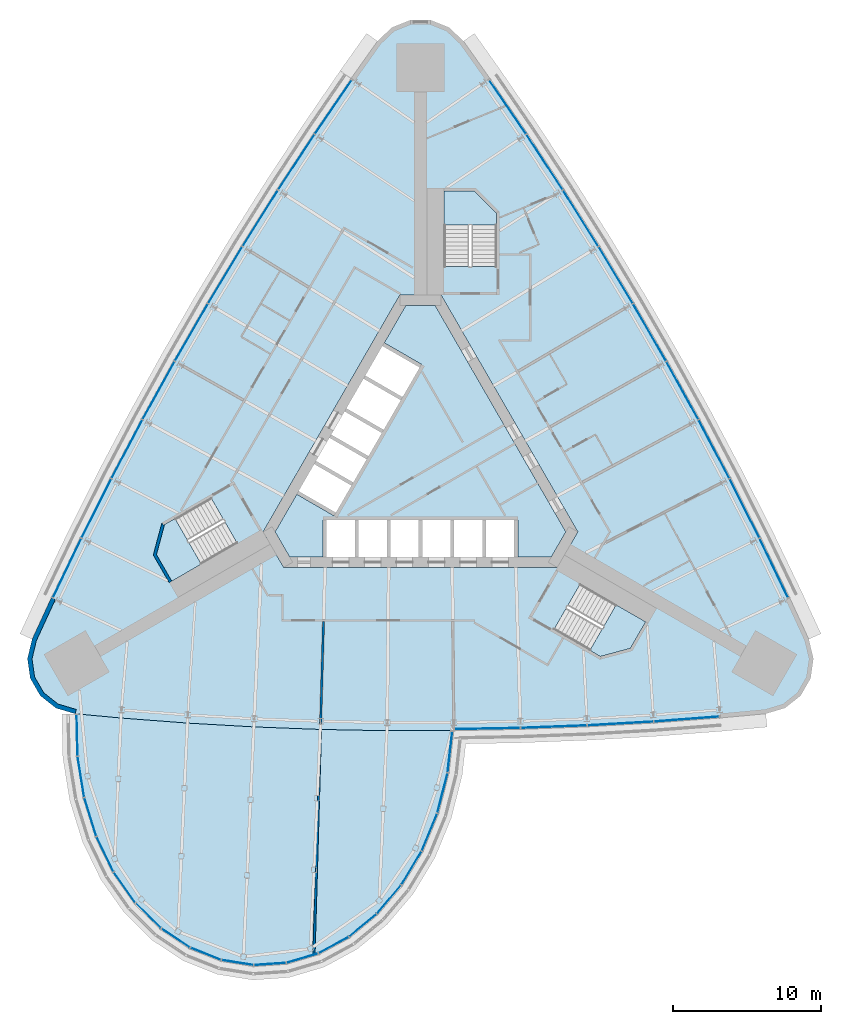
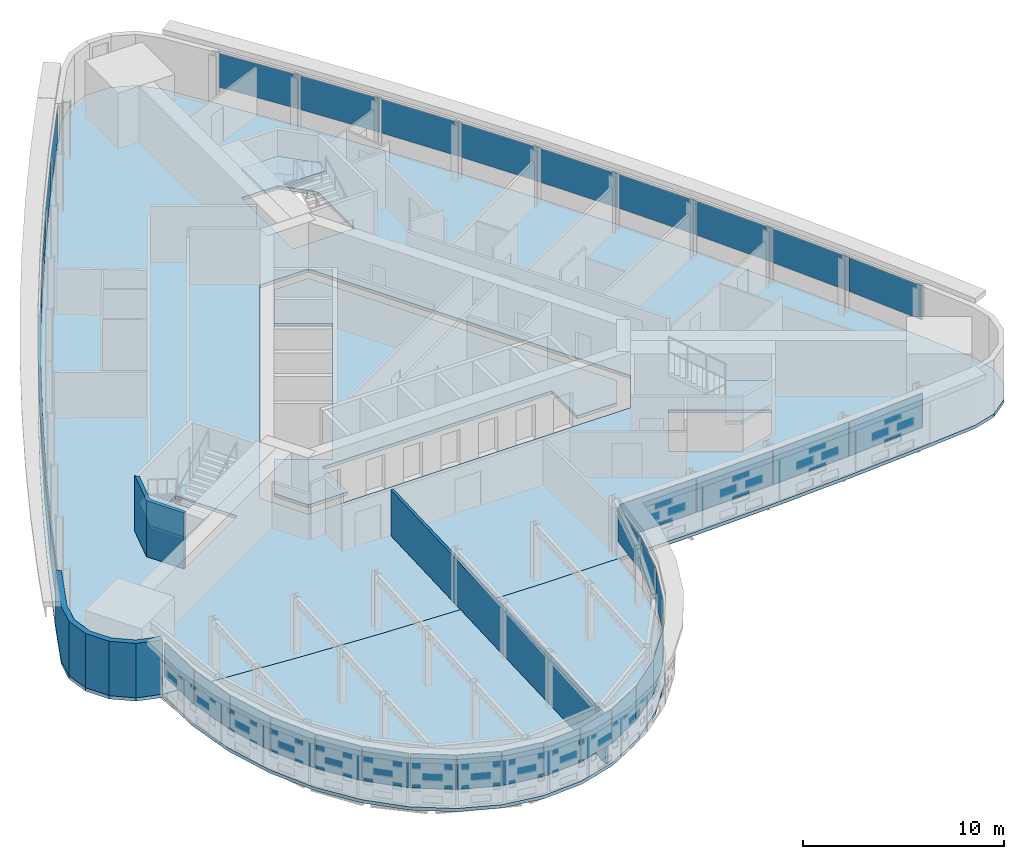
# One storey, part 9 of 16: 40 plates, 6 slabs, 3 walls, 7 elements without a shape of their own.
"""IFC4 building model written with IfcOpenShell, lengths in metres."""

import ifcopenshell
import ifcopenshell.guid

model = None  # the IFC model being written
_history = None  # IfcOwnerHistory: only IFC2X3 demands one
_inside = {}  # id of a spatial element -> (the spatial element, [elements in it])
_under = {}  # id of a project, library or spatial element -> (it, [spatial elements below it])
_declared = {}  # id of a project -> (the project, [libraries it declares])
_typed = {}  # id of a type object -> (the type object, [elements of that type])
_made_of = {}  # id of a material, layer set ... -> (it, [elements and type objects made of it])


def new_model(schema):
    """Start an empty IFC model of exactly this schema.

    Asked for "IFC4X3", IfcOpenShell would pick the latest addendum, in which some entities
    have other attributes; the version numbers below select the first issue.
    IFC2X3 requires an IfcOwnerHistory on every rooted entity: one is made here for all.
    """
    global model, _history
    if schema == "IFC4X3":
        model = ifcopenshell.file(schema_version=(4, 3, 0, 0))
    else:
        model = ifcopenshell.file(schema=schema)
    _inside.clear()
    _under.clear()
    _declared.clear()
    _typed.clear()
    _made_of.clear()
    _history = None
    if model.schema == "IFC2X3":
        org = make("IfcOrganization", Name="unknown")
        user = make(
            "IfcPersonAndOrganization",
            ThePerson=make("IfcPerson", FamilyName="unknown"),
            TheOrganization=org,
        )
        app = make(
            "IfcApplication",
            ApplicationDeveloper=org,
            Version="unknown",
            ApplicationFullName="unknown",
            ApplicationIdentifier="unknown",
        )
        _history = make(
            "IfcOwnerHistory",
            OwningUser=user,
            OwningApplication=app,
            ChangeAction="ADDED",
            CreationDate=0,
        )
    return model


def make(cls, **values):
    """One entity of the class cls with the attributes given. An attribute that is None is left unset."""
    return model.create_entity(
        cls, **{name: value for name, value in values.items() if value is not None}
    )


def rooted(cls, **values):
    """An entity with a GlobalId (a new one), such as an element, a storey or a relation."""
    return make(cls, GlobalId=ifcopenshell.guid.new(), OwnerHistory=_history, **values)


def si_unit(unit_type, name, prefix=None):
    """IfcSIUnit, for example si_unit("LENGTHUNIT", "METRE", prefix="MILLI")."""
    return make("IfcSIUnit", UnitType=unit_type, Prefix=prefix, Name=name)


def assignment(units):
    """IfcUnitAssignment: the units of a project."""
    return None if units is None else make("IfcUnitAssignment", Units=units)


def point(xyz):
    """IfcCartesianPoint."""
    return None if xyz is None else make("IfcCartesianPoint", Coordinates=xyz)


def direction(xyz):
    """IfcDirection."""
    return None if xyz is None else make("IfcDirection", DirectionRatios=xyz)


def frame(location, z_axis=None, x_axis=None):
    """IfcAxis2Placement3D, a coordinate frame: its origin and axes. An axis left out is left unset."""
    return make(
        "IfcAxis2Placement3D",
        Location=point(location),
        Axis=direction(z_axis),
        RefDirection=direction(x_axis),
    )


def frame_2d(location, x_axis=None):
    """IfcAxis2Placement2D, a coordinate frame in the plane: its origin and x axis."""
    return make(
        "IfcAxis2Placement2D", Location=point(location), RefDirection=direction(x_axis)
    )


def origin():
    """The frame at (0, 0, 0) with its axes left unset."""
    return frame((0.0, 0.0, 0.0))


def origin_2d():
    """The frame at (0, 0) in the plane with its x axis left unset."""
    return frame_2d((0.0, 0.0))


def place(relative_to, where):
    """IfcLocalPlacement: puts the frame where relative to a parent placement (None: the world)."""
    return make(
        "IfcLocalPlacement", PlacementRelTo=relative_to, RelativePlacement=where
    )


def context(
    kind, dimensions, precision=None, world=None, true_north=None, identifier=None
):
    """IfcGeometricRepresentationContext, for example the 3D "Model" context."""
    return make(
        "IfcGeometricRepresentationContext",
        ContextIdentifier=identifier,
        ContextType=kind,
        CoordinateSpaceDimension=dimensions,
        Precision=precision,
        WorldCoordinateSystem=world,
        TrueNorth=true_north,
    )


def subcontext(parent, identifier, kind, view, scale=None):
    """IfcGeometricRepresentationSubContext, for example "Body" below "Model"."""
    return make(
        "IfcGeometricRepresentationSubContext",
        ContextIdentifier=identifier,
        ContextType=kind,
        ParentContext=parent,
        TargetScale=scale,
        TargetView=view,
    )


def project(units=None, contexts=None):
    """IfcProject with its units and contexts."""
    return rooted(
        "IfcProject",
        Name="project",
        RepresentationContexts=contexts,
        UnitsInContext=assignment(units),
    )


def spatial(cls, under=None, at=None, **own):
    """A site, building, storey or space (cls), placed at a placement, below another one or the project."""
    s = rooted(cls, ObjectPlacement=at, **own)
    if under is not None:
        _under.setdefault(under.id(), (under, []))[1].append(s)
    return s


def polyline(points):
    """IfcPolyline through the points."""
    return make("IfcPolyline", Points=[point(p) for p in points])


def profile(cls, at=None, kind="AREA", **sizes):
    """A parametric profile (cls). Its sizes go by their IFC names, for example OverallWidth=200.0."""
    return make(cls, ProfileType=kind, Position=at, **sizes)


def rectangle(**sizes):
    """IfcRectangleProfileDef."""
    return profile("IfcRectangleProfileDef", **sizes)


def outline(outer, holes=None, kind="AREA"):
    """IfcArbitraryClosedProfileDef: a profile drawn as a closed curve; with holes, ...WithVoids."""
    if holes is None:
        return make("IfcArbitraryClosedProfileDef", ProfileType=kind, OuterCurve=outer)
    return make(
        "IfcArbitraryProfileDefWithVoids",
        ProfileType=kind,
        OuterCurve=outer,
        InnerCurves=holes,
    )


def extrude(swept, where, along, depth):
    """IfcExtrudedAreaSolid: the profile swept, set in the frame where, extruded along a direction by depth."""
    return make(
        "IfcExtrudedAreaSolid",
        SweptArea=swept,
        Position=where,
        ExtrudedDirection=direction(along),
        Depth=depth,
    )


def shape(context_of_items, identifier, shape_type, items):
    """IfcShapeRepresentation: the items that make up one representation, for example the "Body"."""
    return make(
        "IfcShapeRepresentation",
        ContextOfItems=context_of_items,
        RepresentationIdentifier=identifier,
        RepresentationType=shape_type,
        Items=items,
    )


def material(Name=None, Category=None):
    """IfcMaterial."""
    return make("IfcMaterial", Name=Name, Category=Category)


def layer(
    of_material, thickness, ventilated=None, Name=None, Category=None, Priority=None
):
    """IfcMaterialLayer: one layer of a wall or slab, of a material (None: an air gap)."""
    return make(
        "IfcMaterialLayer",
        Material=of_material,
        LayerThickness=thickness,
        IsVentilated=ventilated,
        Name=Name,
        Category=Category,
        Priority=Priority,
    )


def layer_set(layers, Name=None):
    """IfcMaterialLayerSet."""
    return make("IfcMaterialLayerSet", MaterialLayers=layers, LayerSetName=Name)


def made_of(thing, what):
    """Note that an element or type object is made of a material, layer set ...; save() writes the relation."""
    if what is not None:
        _made_of.setdefault(what.id(), (what, []))[1].append(thing)
    return thing


def type_object(cls, material=None, **own):
    """A type object (cls), such as IfcWallType, which elements share."""
    return made_of(rooted(cls, **own), material)


def element(
    cls,
    number,
    at=None,
    inside=None,
    cuts=None,
    type_object=None,
    material=None,
    context=None,
    identifier="Body",
    shape_type=None,
    held_by="IfcProductDefinitionShape",
    body=None,
    shapes=None,
    **own,
):
    """One element of the class cls, such as IfcWall. Its Tag is "e" and its number.

    at: its placement. inside: the storey or other place that contains it. cuts: it is an
    opening in that element (IfcRelVoidsElement). A single representation is given by context,
    identifier, shape_type and body (its items); several are given by shapes. held_by: the class
    of the entity that holds the representations. save() writes the other relations.
    """
    e = rooted(cls, Tag="e%d" % number, ObjectPlacement=at, **own)
    if body is not None:
        shapes = [shape(context, identifier, shape_type, body)]
    if shapes is not None:
        e.Representation = make(held_by, Representations=shapes)
    if inside is not None:
        _inside.setdefault(inside.id(), (inside, []))[1].append(e)
    if cuts is not None:
        rooted(
            "IfcRelVoidsElement", RelatingBuildingElement=cuts, RelatedOpeningElement=e
        )
    if type_object is not None:
        _typed.setdefault(type_object.id(), (type_object, []))[1].append(e)
    return made_of(e, material)


def aggregate(whole, parts):
    """IfcRelAggregates: a whole, such as a stair, and the parts it consists of."""
    return rooted("IfcRelAggregates", RelatingObject=whole, RelatedObjects=parts)


def save(model, path):
    """Write the relations noted so far, then the file.

    IfcRelAggregates (storeys below a building ...), IfcRelContainedInSpatialStructure (elements
    in a storey), IfcRelDefinesByType, IfcRelAssociatesMaterial and IfcRelDeclares: one each for
    every whole, place, type object, material and project.
    """
    for whole, parts in _under.values():
        aggregate(whole, parts)
    for where, things in _inside.values():
        rooted(
            "IfcRelContainedInSpatialStructure",
            RelatedElements=things,
            RelatingStructure=where,
        )
    for kind, things in _typed.values():
        rooted("IfcRelDefinesByType", RelatedObjects=things, RelatingType=kind)
    for what, things in _made_of.values():
        rooted("IfcRelAssociatesMaterial", RelatedObjects=things, RelatingMaterial=what)
    for by, libraries in _declared.values():
        rooted("IfcRelDeclares", RelatingContext=by, RelatedDefinitions=libraries)
    model.write(path)


model = new_model("IFC4")

# Units and contexts
model_context = context("Model", 3, precision=1e-05, world=origin(), true_north=direction((0.0, 1.0)))
body_context = subcontext(model_context, "Body", "Model", "MODEL_VIEW")
ifc_project = project(units=[si_unit("LENGTHUNIT", "METRE"), si_unit("AREAUNIT", "SQUARE_METRE"), si_unit("VOLUMEUNIT", "CUBIC_METRE"), si_unit("PLANEANGLEUNIT", "RADIAN"), si_unit("MASSUNIT", "GRAM", prefix="KILO")], contexts=[model_context])

# Site, building, storey
site_placement = place(None, origin())
site = spatial("IfcSite", under=ifc_project, at=site_placement, CompositionType="ELEMENT")
building_placement = place(site_placement, origin())
building = spatial("IfcBuilding", under=site, at=building_placement, Name="Noor Cloister Tower", CompositionType="ELEMENT")
storey_placement = place(building_placement, frame((0.0, 0.0, 65.39990234375)))
storey = spatial("IfcBuildingStorey", under=building, at=storey_placement, Name="L16", CompositionType="ELEMENT", Elevation=65.39990234375)

# Slabs
ifc_material_1 = material(Name="Concrete C40/50", Category="concrete")
ifc_layer_1 = layer(ifc_material_1, 0.199951171875)
ifc_layer_set_1 = layer_set([ifc_layer_1], Name="Core floor slab 200 C40/50")
slab_type_1 = type_object("IfcSlabType", Name="Core floor slab 200 C40/50", PredefinedType="FLOOR", material=ifc_layer_set_1)
slab_1_placement = place(storey_placement, frame((0.0, 0.0, -0.199951171875)))
element("IfcSlab", 1, at=slab_1_placement, inside=storey, type_object=slab_type_1, Name="Core floor L16", PredefinedType="FLOOR", context=body_context, shape_type="SweptSolid", body=[
    extrude(outline(polyline([(-6.574951171875, -6.228271484375), (-6.574951171875, -3.728271484375), (6.574951171875, -3.728271484375), (6.574951171875, -6.228271484375), (8.82470703125, -6.228271484375), (9.80615234375, -4.5283203125), (0.9814453125, 10.75634765625), (-0.9814453125, 10.75634765625), (-2.44384765625, 8.2236328125), (0.067626953125, 6.773681640625), (-5.832275390625, -3.4453125), (-8.34375, -1.995361328125), (-9.80615234375, -4.5283203125), (-8.82470703125, -6.228271484375), (-6.574951171875, -6.228271484375)])), origin(), (0.0, 0.0, 1.0), 0.199951171875),
])
ifc_material_2 = material(Name="Concrete C40/50", Category="concrete")
ifc_layer_2 = layer(ifc_material_2, 0.199951171875)
ifc_layer_set_2 = layer_set([ifc_layer_2], Name="Floor slab 200 C40/50")
slab_type_2 = type_object("IfcSlabType", Name="Floor slab 200 C40/50", PredefinedType="FLOOR", material=ifc_layer_set_2)
slab_2_placement = place(storey_placement, frame((0.0, 0.0, -0.199951171875)))
element("IfcSlab", 2, at=slab_2_placement, inside=storey, type_object=slab_type_2, Name="Floor slab L16", PredefinedType="FLOOR", context=body_context, shape_type="SweptSolid", body=[
    extrude(outline(polyline([(2.90087890625, 28.576171875), (1.923828125, 29.502197265625), (0.673095703125, 30.000732421875), (-0.673095703125, 30.000732421875), (-1.923828125, 29.502197265625), (-2.90087890625, 28.576171875), (-4.683837890625, 26.05810546875), (-7.224609375, 22.343994140625), (-9.69384765625, 18.582275390625), (-12.091064453125, 14.77392578125), (-14.4150390625, 10.920654296875), (-16.6650390625, 7.0234375), (-18.840087890625, 3.084228515625), (-20.939697265625, -0.89599609375), (-22.962890625, -4.91552734375), (-24.908935546875, -8.972900390625), (-26.1982421875, -11.77587890625), (-26.511474609375, -13.085205078125), (-26.31787109375, -14.41748046875), (-25.644775390625, -15.583251953125), (-24.587890625, -16.417236328125), (-23.29736328125, -16.80029296875), (-20.22509765625, -17.085205078125), (-15.73828125, -17.4287109375), (-11.24560546875, -17.686279296875), (-6.7490234375, -17.858154296875), (-2.25, -17.944091796875), (2.25, -17.944091796875), (6.7490234375, -17.858154296875), (11.24560546875, -17.686279296875), (15.73828125, -17.4287109375), (20.22509765625, -17.085205078125), (23.29736328125, -16.80029296875), (24.587890625, -16.417236328125), (25.644775390625, -15.583251953125), (26.31787109375, -14.41748046875), (26.511474609375, -13.085205078125), (26.1982421875, -11.77587890625), (24.908935546875, -8.972900390625), (22.962890625, -4.91552734375), (20.939697265625, -0.89599609375), (18.840087890625, 3.084228515625), (16.6650390625, 7.0234375), (14.4150390625, 10.920654296875), (12.091064453125, 14.77392578125), (9.69384765625, 18.582275390625), (7.224609375, 22.343994140625), (4.683837890625, 26.05810546875), (2.90087890625, 28.576171875)]), holes=[polyline([(8.999755859375, -11.126220703125), (12.131591796875, -12.934326171875), (14.1572265625, -12.3916015625), (15.19091796875, -10.601318359375), (10.774658203125, -8.0517578125), (8.999755859375, -11.126220703125)]), polyline([(-17.81005859375, -6.064697265625), (-16.776611328125, -7.85498046875), (-12.3603515625, -5.305419921875), (-14.13525390625, -2.23095703125), (-16.662841796875, -3.690185546875), (-17.267333984375, -4.039306640625), (-17.81005859375, -6.064697265625)]), polyline([(-10.6142578125, -4.5283203125), (-9.228759765625, -6.92822265625), (9.228759765625, -6.92822265625), (10.6142578125, -4.5283203125), (1.3857421875, 11.456298828125), (-1.3857421875, 11.456298828125), (-10.6142578125, -4.5283203125)]), polyline([(3.65283203125, 18.456298828125), (1.585693359375, 18.456298828125), (1.585693359375, 13.35693359375), (5.135498046875, 13.35693359375), (5.135498046875, 16.9736328125), (3.65283203125, 18.456298828125)])]), origin(), (0.0, 0.0, 1.0), 0.199951171875),
])

# Curtain wall, plates
ifc_material_3 = material(Name="Aluminium 6063-T6 anodised", Category="aluminium")
curtain_wall_type_1 = type_object("IfcCurtainWallType", Name="Ribbon curtain wall, lower tower CW1", PredefinedType="NOTDEFINED", material=ifc_material_3)
curtain_wall_1_placement = place(storey_placement, origin())
curtain_wall_1 = element("IfcCurtainWall", 3, at=curtain_wall_1_placement, inside=storey, type_object=curtain_wall_type_1, Name="CW1 L16 NW run 1", PredefinedType="NOTDEFINED")
ifc_material_4 = material(Name="Clear laminated glass 2 x 8 mm", Category="glass")
ifc_layer_3 = layer(ifc_material_4, 0.028076171875)
ifc_layer_set_3 = layer_set([ifc_layer_3], Name="Glass panel CW1")
plate_type_1 = type_object("IfcPlateType", Name="Glass panel CW1", PredefinedType="CURTAIN_PANEL", material=ifc_layer_set_3)
plate_1_placement = place(storey_placement, frame((-5.882568359375, 24.12841796875, 1.08984375), z_axis=(0.0, 0.0, 1.0), x_axis=(-0.564629239498, -0.82534466855, 0.0)))
plate_1 = element("IfcPlate", 4, at=plate_1_placement, type_object=plate_type_1, Name="CW1 glass panel 1", PredefinedType="CURTAIN_PANEL", context=body_context, shape_type="SweptSolid", body=[
    extrude(rectangle(XDim=4.39892578125, YDim=0.028076171875, at=origin_2d()), origin(), (0.0, 0.0, 1.0), 2.070068359375),
])
plate_2_placement = place(storey_placement, frame((-8.375732421875, 20.408203125, 1.08984375), z_axis=(0.0, 0.0, 1.0), x_axis=(-0.548766225596, -0.835975854702, 0.0)))
plate_2 = element("IfcPlate", 5, at=plate_2_placement, type_object=plate_type_1, Name="CW1 glass panel 2", PredefinedType="CURTAIN_PANEL", context=body_context, shape_type="SweptSolid", body=[
    extrude(rectangle(XDim=4.43798828125, YDim=0.028076171875, at=origin_2d()), origin(), (0.0, 0.0, 1.0), 2.070068359375),
])
plate_3_placement = place(storey_placement, frame((-10.807861328125, 16.624755859375, 1.08984375), z_axis=(0.0, 0.0, 1.0), x_axis=(-0.532703085297, -0.84630220543, 0.0)))
plate_3 = element("IfcPlate", 6, at=plate_3_placement, type_object=plate_type_1, Name="CW1 glass panel 3", PredefinedType="CURTAIN_PANEL", context=body_context, shape_type="SweptSolid", body=[
    extrude(rectangle(XDim=4.43798828125, YDim=0.028076171875, at=origin_2d()), origin(), (0.0, 0.0, 1.0), 2.070068359375),
])
plate_4_placement = place(storey_placement, frame((-13.16748046875, 12.795654296875, 1.08984375), z_axis=(0.0, 0.0, 1.0), x_axis=(-0.516445705504, -0.856319936277, 0.0)))
plate_4 = element("IfcPlate", 7, at=plate_4_placement, type_object=plate_type_1, Name="CW1 glass panel 4", PredefinedType="CURTAIN_PANEL", context=body_context, shape_type="SweptSolid", body=[
    extrude(rectangle(XDim=4.43798828125, YDim=0.028076171875, at=origin_2d()), origin(), (0.0, 0.0, 1.0), 2.070068359375),
])
plate_5_placement = place(storey_placement, frame((-15.453369140625, 8.922119140625, 1.08984375), z_axis=(0.0, 0.0, 1.0), x_axis=(-0.5, -0.866025403784, 0.0)))
plate_5 = element("IfcPlate", 8, at=plate_5_placement, type_object=plate_type_1, Name="CW1 glass panel 5", PredefinedType="CURTAIN_PANEL", context=body_context, shape_type="SweptSolid", body=[
    extrude(rectangle(XDim=4.43798828125, YDim=0.028076171875, at=origin_2d()), origin(), (0.0, 0.0, 1.0), 2.070068359375),
])
plate_6_placement = place(storey_placement, frame((-17.6650390625, 5.005615234375, 1.08984375), z_axis=(0.0, 0.0, 1.0), x_axis=(-0.483371965831, -0.875415068781, 0.0)))
plate_6 = element("IfcPlate", 9, at=plate_6_placement, type_object=plate_type_1, Name="CW1 glass panel 6", PredefinedType="CURTAIN_PANEL", context=body_context, shape_type="SweptSolid", body=[
    extrude(rectangle(XDim=4.43798828125, YDim=0.028076171875, at=origin_2d()), origin(), (0.0, 0.0, 1.0), 2.070068359375),
])
plate_7_placement = place(storey_placement, frame((-19.801513671875, 1.047607421875, 1.08984375), z_axis=(0.0, 0.0, 1.0), x_axis=(-0.466567666533, -0.884485507256, 0.0)))
plate_7 = element("IfcPlate", 10, at=plate_7_placement, type_object=plate_type_1, Name="CW1 glass panel 7", PredefinedType="CURTAIN_PANEL", context=body_context, shape_type="SweptSolid", body=[
    extrude(rectangle(XDim=4.43798828125, YDim=0.028076171875, at=origin_2d()), origin(), (0.0, 0.0, 1.0), 2.070068359375),
])
plate_8_placement = place(storey_placement, frame((-21.86181640625, -2.95068359375, 1.08984375), z_axis=(0.0, 0.0, 1.0), x_axis=(-0.449593214325, -0.893233419456, 0.0)))
plate_8 = element("IfcPlate", 11, at=plate_8_placement, type_object=plate_type_1, Name="CW1 glass panel 8", PredefinedType="CURTAIN_PANEL", context=body_context, shape_type="SweptSolid", body=[
    extrude(rectangle(XDim=4.43798828125, YDim=0.028076171875, at=origin_2d()), origin(), (0.0, 0.0, 1.0), 2.070068359375),
])
plate_9_placement = place(storey_placement, frame((-23.837158203125, -6.9697265625, 1.08984375), z_axis=(0.0, 0.0, 1.0), x_axis=(-0.432454830094, -0.9016555994, 0.0)))
plate_9 = element("IfcPlate", 12, at=plate_9_placement, type_object=plate_type_1, Name="CW1 glass panel 9", PredefinedType="CURTAIN_PANEL", context=body_context, shape_type="SweptSolid", body=[
    extrude(rectangle(XDim=4.39892578125, YDim=0.028076171875, at=origin_2d()), origin(), (0.0, 0.0, 1.0), 2.070068359375),
])
aggregate(curtain_wall_1, [plate_1, plate_2, plate_3, plate_4, plate_5, plate_6, plate_7, plate_8, plate_9])

curtain_wall_2_placement = place(storey_placement, origin())
curtain_wall_2 = element("IfcCurtainWall", 13, at=curtain_wall_2_placement, inside=storey, type_object=curtain_wall_type_1, Name="CW1 L16 S run 3", PredefinedType="NOTDEFINED")
plate_10_placement = place(storey_placement, frame((4.51708984375, -17.80078125, 1.08984375), z_axis=(0.0, 0.0, 1.0), x_axis=(0.999817671335, 0.019095132503, 0.0)))
plate_10 = element("IfcPlate", 14, at=plate_10_placement, type_object=plate_type_1, Name="CW1 glass panel 1", PredefinedType="CURTAIN_PANEL", context=body_context, shape_type="SweptSolid", body=[
    extrude(rectangle(XDim=4.39892578125, YDim=0.028076171875, at=origin_2d()), origin(), (0.0, 0.0, 1.0), 2.070068359375),
])
plate_11_placement = place(storey_placement, frame((8.99365234375, -17.67236328125, 1.08984375), z_axis=(0.0, 0.0, 1.0), x_axis=(0.999270751829, 0.038183301826, 0.0)))
plate_11 = element("IfcPlate", 15, at=plate_11_placement, type_object=plate_type_1, Name="CW1 glass panel 2", PredefinedType="CURTAIN_PANEL", context=body_context, shape_type="SweptSolid", body=[
    extrude(rectangle(XDim=4.43798828125, YDim=0.028076171875, at=origin_2d()), origin(), (0.0, 0.0, 1.0), 2.070068359375),
])
plate_12_placement = place(storey_placement, frame((13.486328125, -17.457763671875, 1.08984375), z_axis=(0.0, 0.0, 1.0), x_axis=(0.998359439921, 0.057257564754, 0.0)))
plate_12 = element("IfcPlate", 16, at=plate_12_placement, type_object=plate_type_1, Name="CW1 glass panel 3", PredefinedType="CURTAIN_PANEL", context=body_context, shape_type="SweptSolid", body=[
    extrude(rectangle(XDim=4.43798828125, YDim=0.028076171875, at=origin_2d()), origin(), (0.0, 0.0, 1.0), 2.070068359375),
])
plate_13_placement = place(storey_placement, frame((17.95458984375, -17.15869140625, 1.08984375), z_axis=(0.0, 0.0, 1.0), x_axis=(0.997084069591, 0.076310930849, 0.0)))
plate_13 = element("IfcPlate", 17, at=plate_13_placement, type_object=plate_type_1, Name="CW1 glass panel 4", PredefinedType="CURTAIN_PANEL", context=body_context, shape_type="SweptSolid", body=[
    extrude(rectangle(XDim=4.39892578125, YDim=0.028076171875, at=origin_2d()), origin(), (0.0, 0.0, 1.0), 2.070068359375),
])
aggregate(curtain_wall_2, [plate_10, plate_11, plate_12, plate_13])

curtain_wall_3_placement = place(storey_placement, origin())
curtain_wall_3 = element("IfcCurtainWall", 18, at=curtain_wall_3_placement, inside=storey, type_object=curtain_wall_type_1, Name="CW1 L16 NE run 4", PredefinedType="NOTDEFINED")
plate_14_placement = place(storey_placement, frame((23.837158203125, -6.9697265625, 1.08984375), z_axis=(0.0, 0.0, 1.0), x_axis=(-0.432454830094, 0.9016555994, 0.0)))
plate_14 = element("IfcPlate", 19, at=plate_14_placement, type_object=plate_type_1, Name="CW1 glass panel 1", PredefinedType="CURTAIN_PANEL", context=body_context, shape_type="SweptSolid", body=[
    extrude(rectangle(XDim=4.39892578125, YDim=0.028076171875, at=origin_2d()), origin(), (0.0, 0.0, 1.0), 2.070068359375),
])
plate_15_placement = place(storey_placement, frame((21.86181640625, -2.95068359375, 1.08984375), z_axis=(0.0, 0.0, 1.0), x_axis=(-0.449593214325, 0.893233419456, 0.0)))
plate_15 = element("IfcPlate", 20, at=plate_15_placement, type_object=plate_type_1, Name="CW1 glass panel 2", PredefinedType="CURTAIN_PANEL", context=body_context, shape_type="SweptSolid", body=[
    extrude(rectangle(XDim=4.43798828125, YDim=0.028076171875, at=origin_2d()), origin(), (0.0, 0.0, 1.0), 2.070068359375),
])
plate_16_placement = place(storey_placement, frame((19.801513671875, 1.047607421875, 1.08984375), z_axis=(0.0, 0.0, 1.0), x_axis=(-0.466567666533, 0.884485507256, 0.0)))
plate_16 = element("IfcPlate", 21, at=plate_16_placement, type_object=plate_type_1, Name="CW1 glass panel 3", PredefinedType="CURTAIN_PANEL", context=body_context, shape_type="SweptSolid", body=[
    extrude(rectangle(XDim=4.43798828125, YDim=0.028076171875, at=origin_2d()), origin(), (0.0, 0.0, 1.0), 2.070068359375),
])
plate_17_placement = place(storey_placement, frame((17.6650390625, 5.005615234375, 1.08984375), z_axis=(0.0, 0.0, 1.0), x_axis=(-0.483371965831, 0.875415068781, 0.0)))
plate_17 = element("IfcPlate", 22, at=plate_17_placement, type_object=plate_type_1, Name="CW1 glass panel 4", PredefinedType="CURTAIN_PANEL", context=body_context, shape_type="SweptSolid", body=[
    extrude(rectangle(XDim=4.43798828125, YDim=0.028076171875, at=origin_2d()), origin(), (0.0, 0.0, 1.0), 2.070068359375),
])
plate_18_placement = place(storey_placement, frame((15.453369140625, 8.922119140625, 1.08984375), z_axis=(0.0, 0.0, 1.0), x_axis=(-0.5, 0.866025403784, 0.0)))
plate_18 = element("IfcPlate", 23, at=plate_18_placement, type_object=plate_type_1, Name="CW1 glass panel 5", PredefinedType="CURTAIN_PANEL", context=body_context, shape_type="SweptSolid", body=[
    extrude(rectangle(XDim=4.43798828125, YDim=0.028076171875, at=origin_2d()), origin(), (0.0, 0.0, 1.0), 2.070068359375),
])
plate_19_placement = place(storey_placement, frame((13.16748046875, 12.795654296875, 1.08984375), z_axis=(0.0, 0.0, 1.0), x_axis=(-0.516445705504, 0.856319936277, 0.0)))
plate_19 = element("IfcPlate", 24, at=plate_19_placement, type_object=plate_type_1, Name="CW1 glass panel 6", PredefinedType="CURTAIN_PANEL", context=body_context, shape_type="SweptSolid", body=[
    extrude(rectangle(XDim=4.43798828125, YDim=0.028076171875, at=origin_2d()), origin(), (0.0, 0.0, 1.0), 2.070068359375),
])
plate_20_placement = place(storey_placement, frame((10.807861328125, 16.624755859375, 1.08984375), z_axis=(0.0, 0.0, 1.0), x_axis=(-0.532703085297, 0.84630220543, 0.0)))
plate_20 = element("IfcPlate", 25, at=plate_20_placement, type_object=plate_type_1, Name="CW1 glass panel 7", PredefinedType="CURTAIN_PANEL", context=body_context, shape_type="SweptSolid", body=[
    extrude(rectangle(XDim=4.43798828125, YDim=0.028076171875, at=origin_2d()), origin(), (0.0, 0.0, 1.0), 2.070068359375),
])
plate_21_placement = place(storey_placement, frame((8.375732421875, 20.408203125, 1.08984375), z_axis=(0.0, 0.0, 1.0), x_axis=(-0.548766225596, 0.835975854702, 0.0)))
plate_21 = element("IfcPlate", 26, at=plate_21_placement, type_object=plate_type_1, Name="CW1 glass panel 8", PredefinedType="CURTAIN_PANEL", context=body_context, shape_type="SweptSolid", body=[
    extrude(rectangle(XDim=4.43798828125, YDim=0.028076171875, at=origin_2d()), origin(), (0.0, 0.0, 1.0), 2.070068359375),
])
plate_22_placement = place(storey_placement, frame((5.882568359375, 24.12841796875, 1.08984375), z_axis=(0.0, 0.0, 1.0), x_axis=(-0.564629239498, 0.82534466855, 0.0)))
plate_22 = element("IfcPlate", 27, at=plate_22_placement, type_object=plate_type_1, Name="CW1 glass panel 9", PredefinedType="CURTAIN_PANEL", context=body_context, shape_type="SweptSolid", body=[
    extrude(rectangle(XDim=4.39892578125, YDim=0.028076171875, at=origin_2d()), origin(), (0.0, 0.0, 1.0), 2.070068359375),
])
aggregate(curtain_wall_3, [plate_14, plate_15, plate_16, plate_17, plate_18, plate_19, plate_20, plate_21, plate_22])

ifc_material_5 = material(Name="Aluminium 6063-T6 anodised", Category="aluminium")
curtain_wall_type_2 = type_object("IfcCurtainWallType", Name="Sky bar curtain wall, lower bars CW2", PredefinedType="NOTDEFINED", material=ifc_material_5)
curtain_wall_4_placement = place(storey_placement, origin())
curtain_wall_4 = element("IfcCurtainWall", 28, at=curtain_wall_4_placement, inside=storey, type_object=curtain_wall_type_2, Name="CW2 L16 S sky bar run 2", PredefinedType="NOTDEFINED")
ifc_material_6 = material(Name="Clear laminated glass 2 x 8 mm", Category="glass")
ifc_layer_4 = layer(ifc_material_6, 0.028076171875)
ifc_layer_set_4 = layer_set([ifc_layer_4], Name="Glass panel CW2")
plate_type_2 = type_object("IfcPlateType", Name="Glass panel CW2", PredefinedType="CURTAIN_PANEL", material=ifc_layer_set_4)
plate_23_placement = place(storey_placement, frame((-23.1640625, -18.25, 1.08984375), z_axis=(0.0, 0.0, 1.0), x_axis=(0.022953130341, -0.999736542199, 0.0)))
plate_23 = element("IfcPlate", 29, at=plate_23_placement, type_object=plate_type_2, Name="CW2 glass panel 1", PredefinedType="CURTAIN_PANEL", context=body_context, shape_type="SweptSolid", body=[
    extrude(rectangle(XDim=2.764892578125, YDim=0.028076171875, at=origin_2d()), origin(), (0.0, 0.0, 1.0), 2.070068359375),
])
plate_24_placement = place(storey_placement, frame((-22.90673828125, -21.055908203125, 1.08984375), z_axis=(0.0, 0.0, 1.0), x_axis=(0.159312680453, -0.987228175169, 0.0)))
plate_24 = element("IfcPlate", 30, at=plate_24_placement, type_object=plate_type_2, Name="CW2 glass panel 2", PredefinedType="CURTAIN_PANEL", context=body_context, shape_type="SweptSolid", body=[
    extrude(rectangle(XDim=2.76318359375, YDim=0.028076171875, at=origin_2d()), origin(), (0.0, 0.0, 1.0), 2.070068359375),
])
plate_25_placement = place(storey_placement, frame((-22.271728515625, -23.765625, 1.08984375), z_axis=(0.0, 0.0, 1.0), x_axis=(0.297447210431, -0.954738266232, 0.0)))
plate_25 = element("IfcPlate", 31, at=plate_25_placement, type_object=plate_type_2, Name="CW2 glass panel 3", PredefinedType="CURTAIN_PANEL", context=body_context, shape_type="SweptSolid", body=[
    extrude(rectangle(XDim=2.69677734375, YDim=0.028076171875, at=origin_2d()), origin(), (0.0, 0.0, 1.0), 2.070068359375),
])
plate_26_placement = place(storey_placement, frame((-21.279296875, -26.280029296875, 1.08984375), z_axis=(0.0, 0.0, 1.0), x_axis=(0.437139862284, -0.899393540561, 0.0)))
plate_26 = element("IfcPlate", 32, at=plate_26_placement, type_object=plate_type_2, Name="CW2 glass panel 4", PredefinedType="CURTAIN_PANEL", context=body_context, shape_type="SweptSolid", body=[
    extrude(rectangle(XDim=2.6044921875, YDim=0.028076171875, at=origin_2d()), origin(), (0.0, 0.0, 1.0), 2.070068359375),
])
plate_27_placement = place(storey_placement, frame((-19.9599609375, -28.522705078125, 1.08984375), z_axis=(0.0, 0.0, 1.0), x_axis=(0.576574241593, -0.817044762501, 0.0)))
plate_27 = element("IfcPlate", 33, at=plate_27_placement, type_object=plate_type_2, Name="CW2 glass panel 5", PredefinedType="CURTAIN_PANEL", context=body_context, shape_type="SweptSolid", body=[
    extrude(rectangle(XDim=2.49560546875, YDim=0.028076171875, at=origin_2d()), origin(), (0.0, 0.0, 1.0), 2.070068359375),
])
plate_28_placement = place(storey_placement, frame((-18.354736328125, -30.425048828125, 1.08984375), z_axis=(0.0, 0.0, 1.0), x_axis=(0.71124855253, -0.702940606683, 0.0)))
plate_28 = element("IfcPlate", 34, at=plate_28_placement, type_object=plate_type_2, Name="CW2 glass panel 6", PredefinedType="CURTAIN_PANEL", context=body_context, shape_type="SweptSolid", body=[
    extrude(rectangle(XDim=2.3818359375, YDim=0.028076171875, at=origin_2d()), origin(), (0.0, 0.0, 1.0), 2.070068359375),
])
plate_29_placement = place(storey_placement, frame((-16.5126953125, -31.93017578125, 1.08984375), z_axis=(0.0, 0.0, 1.0), x_axis=(0.832918207927, -0.553396113922, 0.0)))
plate_29 = element("IfcPlate", 35, at=plate_29_placement, type_object=plate_type_2, Name="CW2 glass panel 7", PredefinedType="CURTAIN_PANEL", context=body_context, shape_type="SweptSolid", body=[
    extrude(rectangle(XDim=2.27685546875, YDim=0.028076171875, at=origin_2d()), origin(), (0.0, 0.0, 1.0), 2.070068359375),
])
plate_30_placement = place(storey_placement, frame((-14.49072265625, -32.992919921875, 1.08984375), z_axis=(0.0, 0.0, 1.0), x_axis=(0.92953704236, -0.36872874431, 0.0)))
plate_30 = element("IfcPlate", 36, at=plate_30_placement, type_object=plate_type_2, Name="CW2 glass panel 8", PredefinedType="CURTAIN_PANEL", context=body_context, shape_type="SweptSolid", body=[
    extrude(rectangle(XDim=2.196044921875, YDim=0.028076171875, at=origin_2d()), origin(), (0.0, 0.0, 1.0), 2.070068359375),
])
plate_31_placement = place(storey_placement, frame((-12.349609375, -33.58203125, 1.08984375), z_axis=(0.0, 0.0, 1.0), x_axis=(0.987675548586, -0.156515209246, 0.0)))
plate_31 = element("IfcPlate", 37, at=plate_31_placement, type_object=plate_type_2, Name="CW2 glass panel 9", PredefinedType="CURTAIN_PANEL", context=body_context, shape_type="SweptSolid", body=[
    extrude(rectangle(XDim=2.151611328125, YDim=0.028076171875, at=origin_2d()), origin(), (0.0, 0.0, 1.0), 2.070068359375),
])
plate_32_placement = place(storey_placement, frame((-10.153564453125, -33.680419921875, 1.08984375), z_axis=(0.0, 0.0, 1.0), x_axis=(0.997710380305, 0.067631331732, 0.0)))
plate_32 = element("IfcPlate", 38, at=plate_32_placement, type_object=plate_type_2, Name="CW2 glass panel 10", PredefinedType="CURTAIN_PANEL", context=body_context, shape_type="SweptSolid", body=[
    extrude(rectangle(XDim=2.151611328125, YDim=0.028076171875, at=origin_2d()), origin(), (0.0, 0.0, 1.0), 2.070068359375),
])
plate_33_placement = place(storey_placement, frame((-7.968505859375, -33.284912109375, 1.08984375), z_axis=(0.0, 0.0, 1.0), x_axis=(0.958767660317, 0.284191086295, 0.0)))
plate_33 = element("IfcPlate", 39, at=plate_33_placement, type_object=plate_type_2, Name="CW2 glass panel 11", PredefinedType="CURTAIN_PANEL", context=body_context, shape_type="SweptSolid", body=[
    extrude(rectangle(XDim=2.196044921875, YDim=0.028076171875, at=origin_2d()), origin(), (0.0, 0.0, 1.0), 2.070068359375),
])
plate_34_placement = place(storey_placement, frame((-5.859375, -32.4072265625, 1.08984375), z_axis=(0.0, 0.0, 1.0), x_axis=(0.879037044757, 0.476753472924, 0.0)))
plate_34 = element("IfcPlate", 40, at=plate_34_placement, type_object=plate_type_2, Name="CW2 glass panel 12", PredefinedType="CURTAIN_PANEL", context=body_context, shape_type="SweptSolid", body=[
    extrude(rectangle(XDim=2.27685546875, YDim=0.028076171875, at=origin_2d()), origin(), (0.0, 0.0, 1.0), 2.070068359375),
])
plate_35_placement = place(storey_placement, frame((-3.890380859375, -31.07275390625, 1.08984375), z_axis=(0.0, 0.0, 1.0), x_axis=(0.771217283095, 0.636571992987, 0.0)))
plate_35 = element("IfcPlate", 41, at=plate_35_placement, type_object=plate_type_2, Name="CW2 glass panel 13", PredefinedType="CURTAIN_PANEL", context=body_context, shape_type="SweptSolid", body=[
    extrude(rectangle(XDim=2.3818359375, YDim=0.028076171875, at=origin_2d()), origin(), (0.0, 0.0, 1.0), 2.070068359375),
])
plate_36_placement = place(storey_placement, frame((-2.12158203125, -29.3212890625, 1.08984375), z_axis=(0.0, 0.0, 1.0), x_axis=(0.647277976935, 0.762254039396, 0.0)))
plate_36 = element("IfcPlate", 42, at=plate_36_placement, type_object=plate_type_2, Name="CW2 glass panel 14", PredefinedType="CURTAIN_PANEL", context=body_context, shape_type="SweptSolid", body=[
    extrude(rectangle(XDim=2.49560546875, YDim=0.028076171875, at=origin_2d()), origin(), (0.0, 0.0, 1.0), 2.070068359375),
])
plate_37_placement = place(storey_placement, frame((-0.607177734375, -27.20556640625, 1.08984375), z_axis=(0.0, 0.0, 1.0), x_axis=(0.515760030153, 0.856733092215, 0.0)))
plate_37 = element("IfcPlate", 43, at=plate_37_placement, type_object=plate_type_2, Name="CW2 glass panel 15", PredefinedType="CURTAIN_PANEL", context=body_context, shape_type="SweptSolid", body=[
    extrude(rectangle(XDim=2.6044921875, YDim=0.028076171875, at=origin_2d()), origin(), (0.0, 0.0, 1.0), 2.070068359375),
])
plate_38_placement = place(storey_placement, frame((0.606201171875, -24.789794921875, 1.08984375), z_axis=(0.0, 0.0, 1.0), x_axis=(0.38157175805, 0.924339219907, 0.0)))
plate_38 = element("IfcPlate", 44, at=plate_38_placement, type_object=plate_type_2, Name="CW2 glass panel 16", PredefinedType="CURTAIN_PANEL", context=body_context, shape_type="SweptSolid", body=[
    extrude(rectangle(XDim=2.69677734375, YDim=0.028076171875, at=origin_2d()), origin(), (0.0, 0.0, 1.0), 2.070068359375),
])
plate_39_placement = place(storey_placement, frame((1.480712890625, -22.147705078125, 1.08984375), z_axis=(0.0, 0.0, 1.0), x_axis=(0.246893105079, 0.969042720763, 0.0)))
plate_39 = element("IfcPlate", 45, at=plate_39_placement, type_object=plate_type_2, Name="CW2 glass panel 17", PredefinedType="CURTAIN_PANEL", context=body_context, shape_type="SweptSolid", body=[
    extrude(rectangle(XDim=2.76318359375, YDim=0.028076171875, at=origin_2d()), origin(), (0.0, 0.0, 1.0), 2.070068359375),
])
plate_40_placement = place(storey_placement, frame((1.987548828125, -19.376220703125, 1.08984375), z_axis=(0.0, 0.0, 1.0), x_axis=(0.112196799802, 0.993686005796, 0.0)))
plate_40 = element("IfcPlate", 46, at=plate_40_placement, type_object=plate_type_2, Name="CW2 glass panel 18", PredefinedType="CURTAIN_PANEL", context=body_context, shape_type="SweptSolid", body=[
    extrude(rectangle(XDim=2.764892578125, YDim=0.028076171875, at=origin_2d()), origin(), (0.0, 0.0, 1.0), 2.070068359375),
])
aggregate(curtain_wall_4, [plate_23, plate_24, plate_25, plate_26, plate_27, plate_28, plate_29, plate_30, plate_31, plate_32, plate_33, plate_34, plate_35, plate_36, plate_37, plate_38, plate_39, plate_40])

# Slab
ifc_material_7 = material(Name="Concrete C40/50", Category="concrete")
ifc_layer_5 = layer(ifc_material_7, 0.199951171875)
ifc_layer_set_5 = layer_set([ifc_layer_5], Name="Pod floor slab 200")
slab_type_3 = type_object("IfcSlabType", Name="Pod floor slab 200", PredefinedType="FLOOR", material=ifc_layer_set_5)
slab_3_placement = place(storey_placement, frame((0.0, 0.0, -0.199951171875)))
element("IfcSlab", 47, at=slab_3_placement, inside=storey, type_object=slab_type_3, Name="Pod floor slab L16", PredefinedType="FLOOR", context=body_context, shape_type="SweptSolid", body=[
    extrude(outline(polyline([(-23.29736328125, -16.80029296875), (-23.2314453125, -19.67138671875), (-22.779296875, -22.472412109375), (-21.954833984375, -25.11865234375), (-20.783203125, -27.529541015625), (-19.299560546875, -29.6318359375), (-17.549560546875, -31.361328125), (-15.5859375, -32.666015625), (-13.468505859375, -33.506103515625), (-11.26171875, -33.855712890625), (-9.0322265625, -33.70458984375), (-6.84814453125, -33.05712890625), (-4.77587890625, -31.933349609375), (-2.878173828125, -30.366943359375), (-1.212890625, -28.40576171875), (0.169677734375, -26.109130859375), (1.227294921875, -23.54736328125), (1.927734375, -20.797607421875), (2.25, -17.944091796875), (-2.25, -17.944091796875), (-6.7490234375, -17.858154296875), (-11.24560546875, -17.686279296875), (-15.73828125, -17.4287109375), (-20.22509765625, -17.085205078125), (-23.29736328125, -16.80029296875)])), origin(), (0.0, 0.0, 1.0), 0.199951171875),
])

# Stair, slab
ifc_material_8 = material(Name="Concrete C40/50", Category="concrete")
stair_type = type_object("IfcStairType", Name="Exit stair 22 risers", PredefinedType="HALF_TURN_STAIR", material=ifc_material_8)
stair_1_placement = place(storey_placement, origin())
stair_1 = element("IfcStair", 48, at=stair_1_placement, inside=storey, type_object=stair_type, Name="Exit stair ST1 L16", PredefinedType="HALF_TURN_STAIR")
ifc_material_9 = material(Name="Concrete C40/50", Category="concrete")
ifc_layer_6 = layer(ifc_material_9, 0.199951171875)
ifc_layer_set_6 = layer_set([ifc_layer_6], Name="Stair landing 200 C40/50")
slab_type_4 = type_object("IfcSlabType", Name="Stair landing 200 C40/50", PredefinedType="LANDING", material=ifc_layer_set_6)
slab_4_placement = place(storey_placement, frame((0.0, 0.0, 1.60009765625)))
slab_4 = element("IfcSlab", 49, at=slab_4_placement, type_object=slab_type_4, Name="ST1 landing 1", PredefinedType="LANDING", context=body_context, shape_type="SweptSolid", body=[
    extrude(outline(polyline([(5.135498046875, 16.15576171875), (5.135498046875, 16.9736328125), (3.65283203125, 18.456298828125), (1.585693359375, 18.456298828125), (1.585693359375, 16.15576171875), (5.135498046875, 16.15576171875)])), origin(), (0.0, 0.0, 1.0), 0.199951171875),
])
aggregate(stair_1, [slab_4])

stair_2_placement = place(storey_placement, origin())
stair_2 = element("IfcStair", 50, at=stair_2_placement, inside=storey, type_object=stair_type, Name="Exit stair ST2 L16", PredefinedType="HALF_TURN_STAIR")
slab_5_placement = place(storey_placement, frame((0.0, 0.0, 1.60009765625)))
slab_5 = element("IfcSlab", 51, at=slab_5_placement, type_object=slab_type_4, Name="ST2 landing 1", PredefinedType="LANDING", context=body_context, shape_type="SweptSolid", body=[
    extrude(outline(polyline([(-16.55908203125, -3.63037109375), (-17.267333984375, -4.039306640625), (-17.81005859375, -6.064697265625), (-16.776611328125, -7.85498046875), (-14.7841796875, -6.70458984375), (-16.55908203125, -3.63037109375)])), origin(), (0.0, 0.0, 1.0), 0.199951171875),
])
aggregate(stair_2, [slab_5])

stair_3_placement = place(storey_placement, origin())
stair_3 = element("IfcStair", 52, at=stair_3_placement, inside=storey, type_object=stair_type, Name="Exit stair ST3 L16", PredefinedType="HALF_TURN_STAIR")
slab_6_placement = place(storey_placement, frame((0.0, 0.0, 1.60009765625)))
slab_6 = element("IfcSlab", 53, at=slab_6_placement, type_object=slab_type_4, Name="ST3 landing 1", PredefinedType="LANDING", context=body_context, shape_type="SweptSolid", body=[
    extrude(outline(polyline([(11.423583984375, -12.525390625), (12.131591796875, -12.934326171875), (14.1572265625, -12.3916015625), (15.19091796875, -10.601318359375), (13.198486328125, -9.451171875), (11.423583984375, -12.525390625)])), origin(), (0.0, 0.0, 1.0), 0.199951171875),
])
aggregate(stair_3, [slab_6])

# Walls
ifc_material_10 = material(Name="Gypsum board partition on steel studs, 150 mm", Category="steel")
ifc_layer_7 = layer(ifc_material_10, 0.14990234375)
ifc_layer_set_7 = layer_set([ifc_layer_7], Name="Flat wall 150")
wall_type_1 = type_object("IfcWallType", Name="Flat wall 150", PredefinedType="PARTITIONING", material=ifc_layer_set_7)
wall_1_placement = place(storey_placement, frame((-7.1826171875, -32.989501953125, 0.0), z_axis=(0.0, 0.0, 1.0), x_axis=(0.028641228243, 0.999589755872, 0.0)))
element("IfcWall", 54, at=wall_1_placement, inside=storey, type_object=wall_type_1, Name="Flat wall 150 L16 016", PredefinedType="PARTITIONING", context=body_context, shape_type="SweptSolid", body=[
    extrude(rectangle(XDim=22.41845703125, YDim=0.14990234375, at=frame_2d((11.209228515625, 0.0))), origin(), (0.0, 0.0, 1.0), 2.778076171875),
])
ifc_material_11 = material(Name="Limestone", Category="masonry")
ifc_layer_8 = layer(ifc_material_11, 0.300048828125)
ifc_layer_set_8 = layer_set([ifc_layer_8], Name="Limestone cladding 300")
wall_type_2 = type_object("IfcWallType", Name="Limestone cladding 300", PredefinedType="NOTDEFINED", material=ifc_layer_set_8)
wall_2_placement = place(storey_placement, origin())
element("IfcWall", 55, at=wall_2_placement, inside=storey, type_object=wall_type_2, Name="Limestone pier cladding L16 1.1", PredefinedType="NOTDEFINED", context=body_context, shape_type="SweptSolid", body=[
    extrude(outline(polyline([(-24.908935546875, -8.972900390625), (-26.1982421875, -11.77587890625), (-26.511474609375, -13.085205078125), (-26.31787109375, -14.41748046875), (-25.644775390625, -15.583251953125), (-24.587890625, -16.417236328125), (-23.29736328125, -16.80029296875), (-23.2119140625, -16.5126953125), (-24.447265625, -16.14599609375), (-25.413818359375, -15.383544921875), (-26.029296875, -14.317138671875), (-26.206298828125, -13.098876953125), (-25.913330078125, -11.87451171875), (-24.63623046875, -9.09814453125), (-24.908935546875, -8.972900390625)])), origin(), (0.0, 0.0, 1.0), 3.300048828125),
])
ifc_material_12 = material(Name="Concrete C80/95", Category="concrete")
wall_type_3 = type_object("IfcWallType", Name="Stair far end wall C80/95", PredefinedType="SHEAR", material=ifc_material_12)
wall_3_placement = place(storey_placement, frame((0.0, 0.0, -0.199951171875)))
element("IfcWall", 56, at=wall_3_placement, inside=storey, type_object=wall_type_3, Name="Stair enclosure wall ST2 L16 far end", PredefinedType="SHEAR", context=body_context, shape_type="SweptSolid", body=[
    extrude(outline(polyline([(-17.439208984375, -3.907470703125), (-18.024658203125, -6.093017578125), (-16.94970703125, -7.955078125), (-16.776611328125, -7.85498046875), (-17.81005859375, -6.064697265625), (-17.267333984375, -4.039306640625), (-17.339111328125, -4.08056640625), (-17.339111328125, -4.08056640625), (-17.339111328125, -4.08056640625), (-17.339111328125, -4.08056640625), (-17.339111328125, -4.08056640625), (-17.339111328125, -4.08056640625), (-17.339111328125, -4.08056640625), (-17.339111328125, -4.08056640625), (-17.339111328125, -4.08056640625), (-17.339111328125, -4.08056640625), (-17.339111328125, -4.08056640625), (-17.339111328125, -4.08056640625), (-17.339111328125, -4.08056640625), (-17.339111328125, -4.08056640625), (-17.339111328125, -4.08056640625), (-17.339111328125, -4.08056640625), (-17.339111328125, -4.08056640625), (-17.439208984375, -3.907470703125)])), origin(), (0.0, 0.0, 1.0), 3.60009765625),
])

save(model, "model.ifc")
